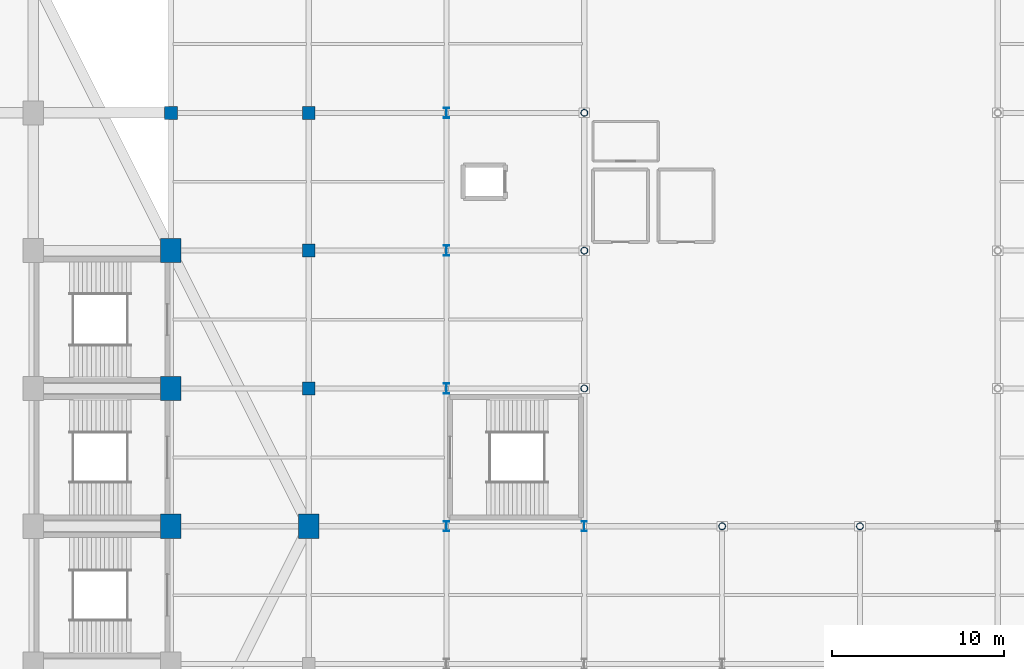
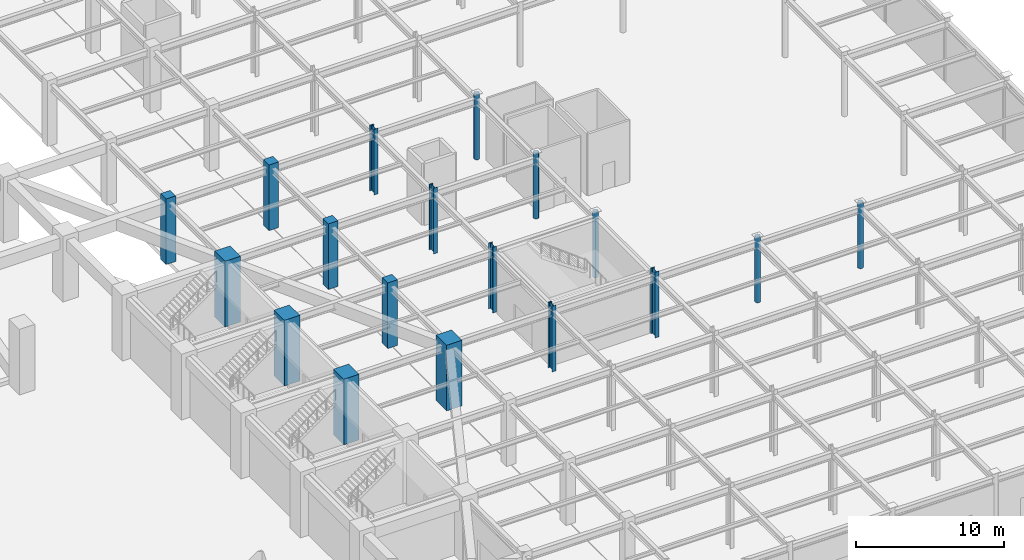
# One storey, part 5 of 39: 18 columns.
"""IFC4 building model written with IfcOpenShell, lengths in metres."""

from ifc_helpers import new_model, si_unit, direction, frame, origin, origin_2d, place, context, subcontext, project, spatial, rectangle, hollow_circle, i_section, extrude, material, material_profile, profile_set, type_object, element, save


model = new_model("IFC4")

# Units and contexts
model_context = context("Model", 3, precision=1e-05, world=origin(), true_north=direction((0.0, 1.0)))
body_context = subcontext(model_context, "Body", "Model", "MODEL_VIEW")
ifc_project = project(units=[si_unit("LENGTHUNIT", "METRE"), si_unit("AREAUNIT", "SQUARE_METRE"), si_unit("VOLUMEUNIT", "CUBIC_METRE"), si_unit("PLANEANGLEUNIT", "RADIAN"), si_unit("MASSUNIT", "GRAM", prefix="KILO")], contexts=[model_context])

# Site, building, storey
site_placement = place(None, origin())
site = spatial("IfcSite", under=ifc_project, at=site_placement, CompositionType="ELEMENT")
building_placement = place(site_placement, origin())
building = spatial("IfcBuilding", under=site, at=building_placement, Name="Tazarka Park Arena", CompositionType="ELEMENT")
storey_placement = place(building_placement, origin())
storey = spatial("IfcBuildingStorey", under=building, at=storey_placement, Name="L00", CompositionType="ELEMENT", Elevation=0.0)

# Columns
ifc_material_1 = material(Name="Concrete C40/50", Category="concrete")
ifc_material_profile_1 = material_profile(ifc_material_1, rectangle(XDim=0.75, YDim=0.75, at=origin_2d()), Name="Concrete C40/50")
ifc_profile_set_1 = profile_set([ifc_material_profile_1], Name="Concrete C40/50")
column_type_1 = type_object("IfcColumnType", Name="COL-C-02", PredefinedType="COLUMN", material=ifc_profile_set_1)
for number, where, z_axis, x_axis, name in (
    (1, (128.0, 88.0, 0.0), (0.0, 0.0, 1.0), (1.0, 0.0, 0.0), "CLM-L00-16-11"),
    (2, (136.0, 72.0, 0.0), (0.0, 0.0, 1.0), (1.0, 0.0, 0.0), "CLM-L00-17-09"),
    (3, (136.0, 80.0, 0.0), (0.0, 0.0, 1.0), (1.0, 0.0, 0.0), "CLM-L00-17-10"),
    (4, (136.0, 88.0, 0.0), (0.0, 0.0, 1.0), (1.0, 0.0, 0.0), "CLM-L00-17-11"),
):
    element("IfcColumn", number, at=place(storey_placement, frame(where, z_axis=z_axis, x_axis=x_axis)), inside=storey, type_object=column_type_1, Name=name, PredefinedType="COLUMN", context=body_context, shape_type="SweptSolid", body=[
        extrude(rectangle(XDim=0.75, YDim=0.75, at=origin_2d()), origin(), (0.0, 0.0, 1.0), 5.39990234375),
    ])
ifc_material_2 = material(Name="Concrete C50/60", Category="concrete")
ifc_material_profile_2 = material_profile(ifc_material_2, rectangle(XDim=1.199951171875, YDim=1.39990234375, at=origin_2d()), Name="Concrete C50/60")
ifc_profile_set_2 = profile_set([ifc_material_profile_2], Name="Concrete C50/60")
column_type_2 = type_object("IfcColumnType", Name="COL-C-05", PredefinedType="COLUMN", material=ifc_profile_set_2)
for number, where, z_axis, x_axis, name in (
    (5, (128.0, 64.0, 0.0), (0.0, 0.0, 1.0), (1.0, 0.0, 0.0), "CLM-L00-16-08"),
    (6, (128.0, 72.0, 0.0), (0.0, 0.0, 1.0), (1.0, 0.0, 0.0), "CLM-L00-16-09"),
    (7, (128.0, 80.0, 0.0), (0.0, 0.0, 1.0), (1.0, 0.0, 0.0), "CLM-L00-16-10"),
    (8, (136.0, 64.0, 0.0), (0.0, 0.0, 1.0), (1.0, 0.0, 0.0), "CLM-L00-17-08"),
):
    element("IfcColumn", number, at=place(storey_placement, frame(where, z_axis=z_axis, x_axis=x_axis)), inside=storey, type_object=column_type_2, Name=name, PredefinedType="COLUMN", context=body_context, shape_type="SweptSolid", body=[
        extrude(rectangle(XDim=1.199951171875, YDim=1.39990234375, at=origin_2d()), origin(), (0.0, 0.0, 1.0), 5.39990234375),
    ])
ifc_material_3 = material(Name="Steel S355", Category="steel")
ifc_material_profile_3 = material_profile(ifc_material_3, i_section(OverallWidth=0.300048828125, OverallDepth=0.60009765625, WebThickness=0.015380859375, FlangeThickness=0.030029296875, FilletRadius=0.027099609375, at=origin_2d()), Name="Steel S355")
ifc_profile_set_3 = profile_set([ifc_material_profile_3], Name="Steel S355")
column_type_3 = type_object("IfcColumnType", Name="COL-SC-03", PredefinedType="COLUMN", material=ifc_profile_set_3)
for number, where, z_axis, x_axis, name in (
    (9, (144.0, 64.0, 0.0), (0.0, 0.0, 1.0), (1.0, 0.0, 0.0), "CLM-L00-18-08"),
    (10, (144.0, 72.0, 0.0), (0.0, 0.0, 1.0), (1.0, 0.0, 0.0), "CLM-L00-18-09"),
    (11, (144.0, 80.0, 0.0), (0.0, 0.0, 1.0), (1.0, 0.0, 0.0), "CLM-L00-18-10"),
    (12, (144.0, 88.0, 0.0), (0.0, 0.0, 1.0), (1.0, 0.0, 0.0), "CLM-L00-18-11"),
    (13, (152.0, 64.0, 0.0), (0.0, 0.0, 1.0), (1.0, 0.0, 0.0), "CLM-L00-19-08"),
):
    element("IfcColumn", number, at=place(storey_placement, frame(where, z_axis=z_axis, x_axis=x_axis)), inside=storey, type_object=column_type_3, Name=name, PredefinedType="COLUMN", context=body_context, shape_type="SweptSolid", body=[
        extrude(i_section(OverallWidth=0.300048828125, OverallDepth=0.60009765625, WebThickness=0.015380859375, FlangeThickness=0.030029296875, FilletRadius=0.027099609375, at=origin_2d()), origin(), (0.0, 0.0, 1.0), 5.39990234375),
    ])
ifc_material_4 = material(Name="Steel S355", Category="steel")
ifc_material_profile_4 = material_profile(ifc_material_4, hollow_circle(Radius=0.203125, WallThickness=0.02001953125, at=origin_2d()), Name="Steel S355")
ifc_profile_set_4 = profile_set([ifc_material_profile_4], Name="Steel S355")
column_type_4 = type_object("IfcColumnType", Name="COL-SC-04", PredefinedType="COLUMN", material=ifc_profile_set_4)
for number, where, z_axis, x_axis, name in (
    (14, (152.0, 72.0, 0.0), (0.0, 0.0, 1.0), (1.0, 0.0, 0.0), "CLM-L00-19-09"),
    (15, (152.0, 80.0, 0.0), (0.0, 0.0, 1.0), (1.0, 0.0, 0.0), "CLM-L00-19-10"),
    (16, (152.0, 88.0, 0.0), (0.0, 0.0, 1.0), (1.0, 0.0, 0.0), "CLM-L00-19-11"),
    (17, (160.0, 64.0, 0.0), (0.0, 0.0, 1.0), (1.0, 0.0, 0.0), "CLM-L00-20-08"),
    (18, (168.0, 64.0, 0.0), (0.0, 0.0, 1.0), (1.0, 0.0, 0.0), "CLM-L00-21-08"),
):
    element("IfcColumn", number, at=place(storey_placement, frame(where, z_axis=z_axis, x_axis=x_axis)), inside=storey, type_object=column_type_4, Name=name, PredefinedType="COLUMN", context=body_context, shape_type="SweptSolid", body=[
        extrude(hollow_circle(Radius=0.203125, WallThickness=0.02001953125, at=origin_2d()), origin(), (0.0, 0.0, 1.0), 5.39990234375),
    ])

save(model, "model.ifc")
